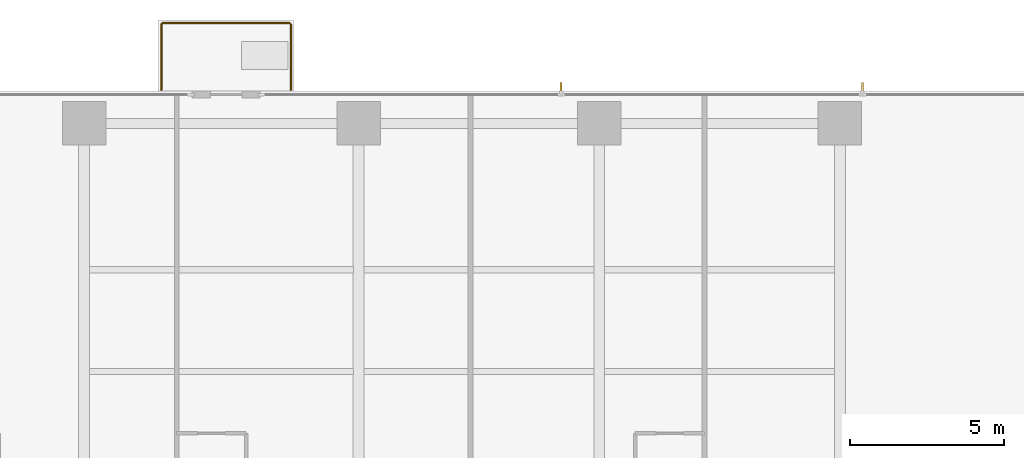
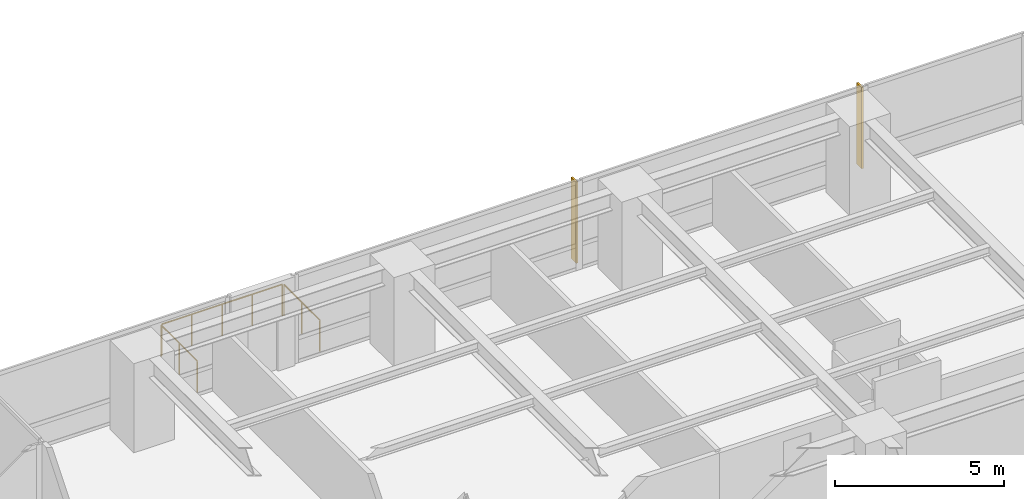
# One storey, part 17 of 17: 3 railings, 2 shading devices.
"""IFC4 building model written with IfcOpenShell, lengths in metres."""

from ifc_helpers import new_model, si_unit, direction, frame, origin, origin_2d, place, context, subcontext, project, spatial, polyline, circle, outline, extrude, material, layer, layer_set, type_object, element, save


model = new_model("IFC4")

# Units and contexts
model_context = context("Model", 3, precision=1e-05, world=origin(), true_north=direction((0.0, 1.0)))
body_context = subcontext(model_context, "Body", "Model", "MODEL_VIEW")
ifc_project = project(units=[si_unit("LENGTHUNIT", "METRE"), si_unit("AREAUNIT", "SQUARE_METRE"), si_unit("VOLUMEUNIT", "CUBIC_METRE"), si_unit("PLANEANGLEUNIT", "RADIAN"), si_unit("MASSUNIT", "GRAM", prefix="KILO")], contexts=[model_context])

# Site, building, storey
site_placement = place(None, origin())
site = spatial("IfcSite", under=ifc_project, at=site_placement, CompositionType="ELEMENT")
building_placement = place(site_placement, origin())
building = spatial("IfcBuilding", under=site, at=building_placement, Name="Qalmaran Belvedere Hotel", CompositionType="ELEMENT")
storey_placement = place(building_placement, frame((0.0, 0.0, 68.39990234375)))
storey = spatial("IfcBuildingStorey", under=building, at=storey_placement, Name="L17", CompositionType="ELEMENT", Elevation=68.39990234375)

# Shading devices
ifc_material = material(Name="Anodised Bronze Aluminium", Category="aluminium")
ifc_layer = layer(ifc_material, 0.06494140625, Name="Anodised Bronze Aluminium")
ifc_layer_set = layer_set([ifc_layer], Name="Anodised Bronze Aluminium")
shading_device_type = type_object("IfcShadingDeviceType", Name="FIN-BRNZ-300", PredefinedType="USERDEFINED", material=ifc_layer_set)
shading_device_1_placement = place(storey_placement, frame((0.0, 0.0, 0.16015625)))
element("IfcShadingDevice", 1, at=shading_device_1_placement, inside=storey, type_object=shading_device_type, Name="L17 Bronze Fin 1", ObjectType="FIN", PredefinedType="USERDEFINED", context=body_context, shape_type="SweptSolid", body=[
    extrude(outline(polyline([(45.56591796875, 48.472412109375), (45.56591796875, 48.7724609375), (45.500732421875, 48.7724609375), (45.500732421875, 48.472412109375), (45.56591796875, 48.472412109375)])), origin(), (0.0, 0.0, 1.0), 2.93994140625),
])
shading_device_2_placement = place(storey_placement, frame((0.0, 0.0, 0.16015625)))
element("IfcShadingDevice", 2, at=shading_device_2_placement, inside=storey, type_object=shading_device_type, Name="L17 Bronze Fin 2", ObjectType="FIN", PredefinedType="USERDEFINED", context=body_context, shape_type="SweptSolid", body=[
    extrude(outline(polyline([(35.79931640625, 48.472412109375), (35.79931640625, 48.7724609375), (35.734130859375, 48.7724609375), (35.734130859375, 48.472412109375), (35.79931640625, 48.472412109375)])), origin(), (0.0, 0.0, 1.0), 2.93994140625),
])

# Railings
railing_type = type_object("IfcRailingType", Name="GRD-BAL-1150", PredefinedType="BALUSTRADE", material=ifc_material)
railing_1_placement = place(storey_placement, frame((22.800048828125, 48.534912109375, 0.0)))
element("IfcRailing", 3, at=railing_1_placement, inside=storey, type_object=railing_type, Name="L17 Guardrail BAL-L17-N-1", PredefinedType="BALUSTRADE", context=body_context, shape_type="SweptSolid", body=[
    extrude(circle(Radius=0.02392578125, at=origin_2d()), frame((0.0, 0.0, 1.1259765625), z_axis=(0.0, 1.0, 0.0), x_axis=(-1.0, 0.0, 0.0)), (0.0, 0.0, 1.0), 2.130126953125),
    extrude(circle(Radius=0.02099609375, at=origin_2d()), origin(), (0.0, 0.0, 1.0), 1.101806640625),
    extrude(circle(Radius=0.02099609375, at=origin_2d()), frame((0.0, 1.06494140625, 0.0)), (0.0, 0.0, 1.0), 1.101806640625),
    extrude(circle(Radius=0.02099609375, at=origin_2d()), frame((0.0, 2.130126953125, 0.0)), (0.0, 0.0, 1.0), 1.101806640625),
])
railing_2_placement = place(storey_placement, frame((22.8349609375, 50.699951171875, 0.0)))
element("IfcRailing", 4, at=railing_2_placement, inside=storey, type_object=railing_type, Name="L17 Guardrail BAL-L17-N-2", PredefinedType="BALUSTRADE", context=body_context, shape_type="SweptSolid", body=[
    extrude(circle(Radius=0.02392578125, at=origin_2d()), frame((0.0, 0.0, 1.1259765625), z_axis=(1.0, 0.0, 0.0), x_axis=(0.0, 1.0, 0.0)), (0.0, 0.0, 1.0), 4.130126953125),
    extrude(circle(Radius=0.02099609375, at=origin_2d()), origin(), (0.0, 0.0, 1.0), 1.101806640625),
    extrude(circle(Radius=0.02099609375, at=origin_2d()), frame((1.032470703125, 0.0, 0.0)), (0.0, 0.0, 1.0), 1.101806640625),
    extrude(circle(Radius=0.02099609375, at=origin_2d()), frame((2.06494140625, 0.0, 0.0)), (0.0, 0.0, 1.0), 1.101806640625),
    extrude(circle(Radius=0.02099609375, at=origin_2d()), frame((3.09765625, 0.0, 0.0)), (0.0, 0.0, 1.0), 1.101806640625),
    extrude(circle(Radius=0.02099609375, at=origin_2d()), frame((4.130126953125, 0.0, 0.0)), (0.0, 0.0, 1.0), 1.101806640625),
])
railing_3_placement = place(storey_placement, frame((27.0, 50.6650390625, 0.0)))
element("IfcRailing", 5, at=railing_3_placement, inside=storey, type_object=railing_type, Name="L17 Guardrail BAL-L17-N-3", PredefinedType="BALUSTRADE", context=body_context, shape_type="SweptSolid", body=[
    extrude(circle(Radius=0.02392578125, at=origin_2d()), frame((0.0, 0.0, 1.1259765625), z_axis=(0.0, -1.0, 0.0), x_axis=(1.0, 0.0, 0.0)), (0.0, 0.0, 1.0), 2.130126953125),
    extrude(circle(Radius=0.02099609375, at=origin_2d()), origin(), (0.0, 0.0, 1.0), 1.101806640625),
    extrude(circle(Radius=0.02099609375, at=origin_2d()), frame((0.0, -1.06494140625, 0.0)), (0.0, 0.0, 1.0), 1.101806640625),
    extrude(circle(Radius=0.02099609375, at=origin_2d()), frame((0.0, -2.130126953125, 0.0)), (0.0, 0.0, 1.0), 1.101806640625),
])

save(model, "model.ifc")
